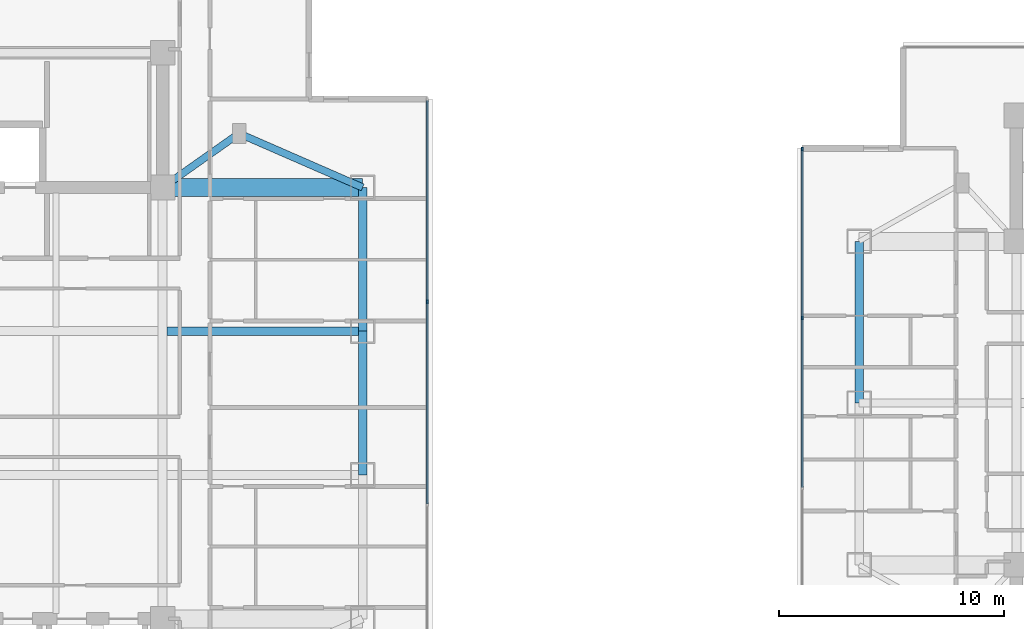
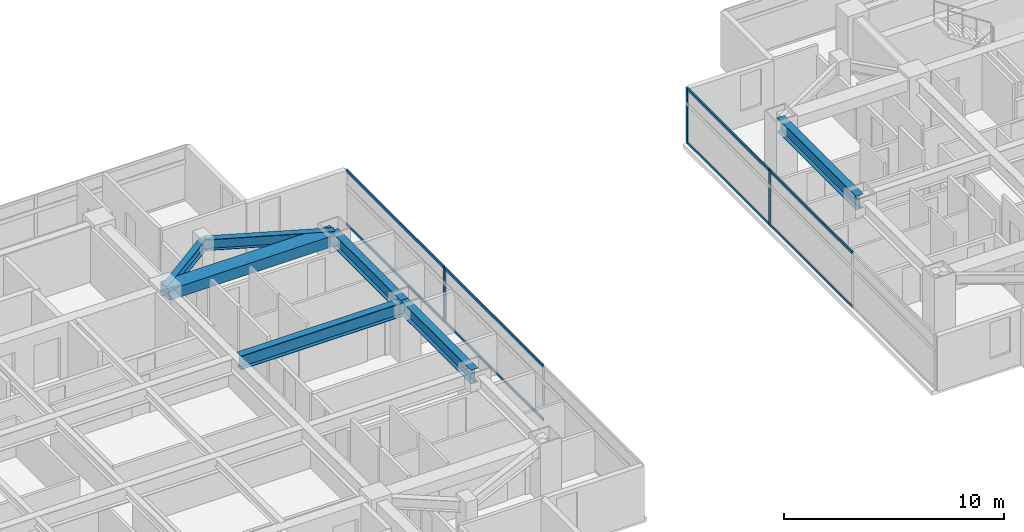
# One storey, part 5 of 24: 11 members, 7 beams, 2 elements without a shape of their own.
"""IFC4 building model written with IfcOpenShell, lengths in metres."""

from ifc_helpers import new_model, si_unit, direction, frame, origin, origin_2d, place, context, subcontext, project, spatial, rectangle, i_section, extrude, material, material_profile, profile_set, type_object, element, aggregate, save


model = new_model("IFC4")

# Units and contexts
model_context = context("Model", 3, precision=1e-05, world=origin(), true_north=direction((0.0, 1.0)))
body_context = subcontext(model_context, "Body", "Model", "MODEL_VIEW")
ifc_project = project(units=[si_unit("LENGTHUNIT", "METRE"), si_unit("AREAUNIT", "SQUARE_METRE"), si_unit("VOLUMEUNIT", "CUBIC_METRE"), si_unit("PLANEANGLEUNIT", "RADIAN"), si_unit("MASSUNIT", "GRAM", prefix="KILO")], contexts=[model_context])

# Site, building, storey
site_placement = place(None, origin())
site = spatial("IfcSite", under=ifc_project, at=site_placement, CompositionType="ELEMENT")
building_placement = place(site_placement, origin())
building = spatial("IfcBuilding", under=site, at=building_placement, Name="Mirazonda Arch Towers", CompositionType="ELEMENT")
storey_placement = place(building_placement, frame((0.0, 0.0, 134.60009765625)))
storey = spatial("IfcBuildingStorey", under=building, at=storey_placement, Name="L38", CompositionType="ELEMENT", Elevation=134.60009765625)

# Beams
ifc_material_1 = material(Name="Steel ASTM A992 Grade 50", Category="steel")
ifc_material_profile_1 = material_profile(ifc_material_1, i_section(OverallWidth=0.381103515625, OverallDepth=0.77294921875, WebThickness=0.0166015625, FlangeThickness=0.027099609375, at=origin_2d()), Name="W30X173")
ifc_profile_set_1 = profile_set([ifc_material_profile_1], Name="Steel ASTM A992 Grade 50")
beam_type_1 = type_object("IfcBeamType", Name="BM-EXT-W30X173", PredefinedType="USERDEFINED", material=ifc_profile_set_1)
beam_1_placement = place(storey_placement, frame((38.89990234375, 24.800048828125, 2.693359375), z_axis=(0.0, 1.0, 0.0), x_axis=(-1.0, 0.0, 0.0)))
element("IfcBeam", 1, at=beam_1_placement, inside=storey, type_object=beam_type_1, Name="L38 Floor Beam BM-T1-L38-NS-E-24", ObjectType="GIRDER", PredefinedType="USERDEFINED", context=body_context, shape_type="SweptSolid", body=[
    extrude(i_section(OverallWidth=0.381103515625, OverallDepth=0.77294921875, WebThickness=0.0166015625, FlangeThickness=0.027099609375, at=origin_2d()), origin(), (0.0, 0.0, 1.0), 6.39990234375),
])
beam_2_placement = place(storey_placement, frame((38.89990234375, 31.199951171875, 2.693359375), z_axis=(0.0, 1.0, 0.0), x_axis=(-1.0, 0.0, 0.0)))
element("IfcBeam", 2, at=beam_2_placement, inside=storey, type_object=beam_type_1, Name="L38 Floor Beam BM-T1-L38-NS-E-31", ObjectType="GIRDER", PredefinedType="USERDEFINED", context=body_context, shape_type="SweptSolid", body=[
    extrude(i_section(OverallWidth=0.381103515625, OverallDepth=0.77294921875, WebThickness=0.0166015625, FlangeThickness=0.027099609375, at=origin_2d()), origin(), (0.0, 0.0, 1.0), 6.400146484375),
])
beam_3_placement = place(storey_placement, frame((61.0, 28.0, 2.693359375), z_axis=(0.0, 1.0, 0.0), x_axis=(-1.0, 0.0, 0.0)))
element("IfcBeam", 3, at=beam_3_placement, inside=storey, type_object=beam_type_1, Name="L38 Floor Beam BM-T2-L38-NS-W-28", ObjectType="GIRDER", PredefinedType="USERDEFINED", context=body_context, shape_type="SweptSolid", body=[
    extrude(i_section(OverallWidth=0.381103515625, OverallDepth=0.77294921875, WebThickness=0.0166015625, FlangeThickness=0.027099609375, at=origin_2d()), origin(), (0.0, 0.0, 1.0), 7.199951171875),
])
ifc_material_profile_2 = material_profile(ifc_material_1, i_section(OverallWidth=0.324951171875, OverallDepth=0.615966796875, WebThickness=0.013916015625, FlangeThickness=0.021484375, at=origin_2d()), Name="W24X117")
ifc_profile_set_2 = profile_set([ifc_material_profile_2], Name="Steel ASTM A992 Grade 50")
beam_type_2 = type_object("IfcBeamType", Name="BM-INT-W24X117", PredefinedType="BEAM", material=ifc_profile_set_2)
beam_4_placement = place(storey_placement, frame((33.39990234375, 40.0, 2.77197265625), z_axis=(-0.816971114901, -0.576678591087, 0.0), x_axis=(0.576678591087, -0.816971114901, 0.0)))
element("IfcBeam", 4, at=beam_4_placement, inside=storey, type_object=beam_type_2, Name="L38 Floor Beam BM-T1-L38-PL-NE1", PredefinedType="BEAM", context=body_context, shape_type="SweptSolid", body=[
    extrude(i_section(OverallWidth=0.324951171875, OverallDepth=0.615966796875, WebThickness=0.013916015625, FlangeThickness=0.021484375, at=origin_2d()), origin(), (0.0, 0.0, 1.0), 4.16162109375),
])
beam_5_placement = place(storey_placement, frame((33.39990234375, 40.0, 2.77197265625), z_axis=(0.916545343703, -0.399930785183, 0.0), x_axis=(0.399930785183, 0.916545343703, 0.0)))
element("IfcBeam", 5, at=beam_5_placement, inside=storey, type_object=beam_type_2, Name="L38 Floor Beam BM-T1-L38-PL-NE2", PredefinedType="BEAM", context=body_context, shape_type="SweptSolid", body=[
    extrude(i_section(OverallWidth=0.324951171875, OverallDepth=0.615966796875, WebThickness=0.013916015625, FlangeThickness=0.021484375, at=origin_2d()), origin(), (0.0, 0.0, 1.0), 6.000732421875),
])
ifc_material_profile_3 = material_profile(ifc_material_1, i_section(OverallWidth=0.381103515625, OverallDepth=0.77294921875, WebThickness=0.0166015625, FlangeThickness=0.027099609375, at=origin_2d()), Name="W30X173")
ifc_profile_set_3 = profile_set([ifc_material_profile_3], Name="Steel ASTM A992 Grade 50")
beam_type_3 = type_object("IfcBeamType", Name="BM-INT-W30X173", PredefinedType="USERDEFINED", material=ifc_profile_set_3)
beam_6_placement = place(storey_placement, frame((30.199951171875, 31.199951171875, 2.693359375), z_axis=(1.0, 0.0, 0.0), x_axis=(0.0, 1.0, 0.0)))
element("IfcBeam", 6, at=beam_6_placement, inside=storey, type_object=beam_type_3, Name="L38 Floor Beam BM-T1-L38-GE3", ObjectType="GIRDER", PredefinedType="USERDEFINED", context=body_context, shape_type="SweptSolid", body=[
    extrude(i_section(OverallWidth=0.381103515625, OverallDepth=0.77294921875, WebThickness=0.0166015625, FlangeThickness=0.027099609375, at=origin_2d()), origin(), (0.0, 0.0, 1.0), 8.699951171875),
])
ifc_material_2 = material(Name="Concrete C60/75", Category="concrete")
ifc_material_profile_4 = material_profile(ifc_material_2, rectangle(XDim=0.800048828125, YDim=0.60009765625, at=origin_2d()), Name="RCCB800x600")
ifc_profile_set_4 = profile_set([ifc_material_profile_4], Name="Concrete C60/75")
beam_type_4 = type_object("IfcBeamType", Name="CB-INT-RCCB800x600", PredefinedType="SPANDREL", material=ifc_profile_set_4)
beam_7_placement = place(storey_placement, frame((30.0, 37.60009765625, 2.77978515625), z_axis=(1.0, 0.0, 0.0), x_axis=(0.0, 1.0, 0.0)))
element("IfcBeam", 7, at=beam_7_placement, inside=storey, type_object=beam_type_4, Name="L38 Floor Beam CBC-T1-L38-NE", PredefinedType="SPANDREL", context=body_context, shape_type="SweptSolid", body=[
    extrude(rectangle(XDim=0.800048828125, YDim=0.60009765625, at=origin_2d()), origin(), (0.0, 0.0, 1.0), 8.89990234375),
])

# Curtain wall, member
ifc_material_3 = material(Name="Anodised Aluminium and Low-E Glass", Category="aluminium")
curtain_wall_type = type_object("IfcCurtainWallType", Name="CW-HTL-UNIT", PredefinedType="NOTDEFINED", material=ifc_material_3)
curtain_wall_1_placement = place(storey_placement, origin())
curtain_wall_1 = element("IfcCurtainWall", 8, at=curtain_wall_1_placement, inside=storey, type_object=curtain_wall_type, Name="L38 T1 E Facade CW-L38-T1-E", PredefinedType="NOTDEFINED")
ifc_material_4 = material(Name="Anodised Aluminium Alloy", Category="aluminium")
ifc_material_profile_5 = material_profile(ifc_material_4, rectangle(XDim=0.074951171875, YDim=0.1650390625, at=origin_2d()), Name="ALU-MULL-75x165")
ifc_profile_set_5 = profile_set([ifc_material_profile_5], Name="Anodised Aluminium Alloy")
member_type_1 = type_object("IfcMemberType", Name="MULL-CW-HTL-UNIT", PredefinedType="MULLION", material=ifc_profile_set_5)
member_1_placement = place(storey_placement, frame((41.780029296875, 32.513427734375, 0.0), z_axis=(0.0, 0.0, 1.0), x_axis=(-1.0, 0.0, 0.0)))
member_1 = element("IfcMember", 9, at=member_1_placement, type_object=member_type_1, Name="CW-112 mullion 3", PredefinedType="MULLION", context=body_context, shape_type="SweptSolid", body=[
    extrude(rectangle(XDim=0.074951171875, YDim=0.1650390625, at=origin_2d()), origin(), (0.0, 0.0, 1.0), 3.059814453125),
])

# Curtain wall, members
curtain_wall_2_placement = place(storey_placement, origin())
curtain_wall_2 = element("IfcCurtainWall", 10, at=curtain_wall_2_placement, inside=storey, type_object=curtain_wall_type, Name="L38 T2 W Facade CW-L38-T2-W", PredefinedType="NOTDEFINED")
member_2_placement = place(storey_placement, frame((58.465087890625, 39.3115234375, 0.0), z_axis=(0.0, 0.0, 1.0), x_axis=(1.0, 0.0, 0.0)))
member_2 = element("IfcMember", 11, at=member_2_placement, type_object=member_type_1, Name="CW-112 mullion 1", PredefinedType="MULLION", context=body_context, shape_type="SweptSolid", body=[
    extrude(rectangle(XDim=0.074951171875, YDim=0.1650390625, at=origin_2d()), origin(), (0.0, 0.0, 1.0), 3.059814453125),
])
member_3_placement = place(storey_placement, frame((58.465087890625, 31.782958984375, 0.0), z_axis=(0.0, 0.0, 1.0), x_axis=(1.0, 0.0, 0.0)))
member_3 = element("IfcMember", 12, at=member_3_placement, type_object=member_type_1, Name="CW-112 mullion 2", PredefinedType="MULLION", context=body_context, shape_type="SweptSolid", body=[
    extrude(rectangle(XDim=0.074951171875, YDim=0.1650390625, at=origin_2d()), origin(), (0.0, 0.0, 1.0), 3.059814453125),
])

# Member
ifc_material_profile_6 = material_profile(ifc_material_4, rectangle(XDim=0.074951171875, YDim=0.14501953125, at=origin_2d()), Name="ALU-TRAN-75x145")
ifc_profile_set_6 = profile_set([ifc_material_profile_6], Name="Anodised Aluminium Alloy")
member_type_2 = type_object("IfcMemberType", Name="TRAN-CW-HTL-UNIT", PredefinedType="USERDEFINED", material=ifc_profile_set_6)
member_4_placement = place(storey_placement, frame((41.780029296875, 23.524169921875, 0.037353515625), z_axis=(0.0, 1.0, 0.0), x_axis=(-1.0, 0.0, 0.0)))
member_4 = element("IfcMember", 13, at=member_4_placement, type_object=member_type_2, Name="CW-112 transom 2.1", ObjectType="TRANSOM", PredefinedType="USERDEFINED", context=body_context, shape_type="SweptSolid", body=[
    extrude(rectangle(XDim=0.074951171875, YDim=0.14501953125, at=origin_2d()), origin(), (0.0, 0.0, 1.0), 8.95166015625),
])

member_5_placement = place(storey_placement, frame((41.780029296875, 23.524169921875, 3.0224609375), z_axis=(0.0, 1.0, 0.0), x_axis=(-1.0, 0.0, 0.0)))
member_5 = element("IfcMember", 14, at=member_5_placement, type_object=member_type_2, Name="CW-112 transom 2.2", ObjectType="TRANSOM", PredefinedType="USERDEFINED", context=body_context, shape_type="SweptSolid", body=[
    extrude(rectangle(XDim=0.074951171875, YDim=0.14501953125, at=origin_2d()), origin(), (0.0, 0.0, 1.0), 8.95166015625),
])

member_6_placement = place(storey_placement, frame((41.780029296875, 32.55078125, 0.037353515625), z_axis=(0.0, 1.0, 0.0), x_axis=(-1.0, 0.0, 0.0)))
member_6 = element("IfcMember", 15, at=member_6_placement, type_object=member_type_2, Name="CW-112 transom 3.1", ObjectType="TRANSOM", PredefinedType="USERDEFINED", context=body_context, shape_type="SweptSolid", body=[
    extrude(rectangle(XDim=0.074951171875, YDim=0.14501953125, at=origin_2d()), origin(), (0.0, 0.0, 1.0), 8.914306640625),
])

member_7_placement = place(storey_placement, frame((41.780029296875, 32.55078125, 3.0224609375), z_axis=(0.0, 1.0, 0.0), x_axis=(-1.0, 0.0, 0.0)))
member_7 = element("IfcMember", 16, at=member_7_placement, type_object=member_type_2, Name="CW-112 transom 3.2", ObjectType="TRANSOM", PredefinedType="USERDEFINED", context=body_context, shape_type="SweptSolid", body=[
    extrude(rectangle(XDim=0.074951171875, YDim=0.14501953125, at=origin_2d()), origin(), (0.0, 0.0, 1.0), 8.914306640625),
])

aggregate(curtain_wall_1, [member_1, member_4, member_5, member_6, member_7])

member_8_placement = place(storey_placement, frame((58.465087890625, 39.27392578125, 0.037353515625), z_axis=(0.0, -1.0, 0.0), x_axis=(1.0, 0.0, 0.0)))
member_8 = element("IfcMember", 17, at=member_8_placement, type_object=member_type_2, Name="CW-112 transom 1.1", ObjectType="TRANSOM", PredefinedType="USERDEFINED", context=body_context, shape_type="SweptSolid", body=[
    extrude(rectangle(XDim=0.074951171875, YDim=0.14501953125, at=origin_2d()), origin(), (0.0, 0.0, 1.0), 7.453369140625),
])

member_9_placement = place(storey_placement, frame((58.465087890625, 39.27392578125, 3.0224609375), z_axis=(0.0, -1.0, 0.0), x_axis=(1.0, 0.0, 0.0)))
member_9 = element("IfcMember", 18, at=member_9_placement, type_object=member_type_2, Name="CW-112 transom 1.2", ObjectType="TRANSOM", PredefinedType="USERDEFINED", context=body_context, shape_type="SweptSolid", body=[
    extrude(rectangle(XDim=0.074951171875, YDim=0.14501953125, at=origin_2d()), origin(), (0.0, 0.0, 1.0), 7.453369140625),
])

member_10_placement = place(storey_placement, frame((58.465087890625, 31.74560546875, 0.037353515625), z_axis=(0.0, -1.0, 0.0), x_axis=(1.0, 0.0, 0.0)))
member_10 = element("IfcMember", 19, at=member_10_placement, type_object=member_type_2, Name="CW-112 transom 2.1", ObjectType="TRANSOM", PredefinedType="USERDEFINED", context=body_context, shape_type="SweptSolid", body=[
    extrude(rectangle(XDim=0.074951171875, YDim=0.14501953125, at=origin_2d()), origin(), (0.0, 0.0, 1.0), 7.4912109375),
])

member_11_placement = place(storey_placement, frame((58.465087890625, 31.74560546875, 3.0224609375), z_axis=(0.0, -1.0, 0.0), x_axis=(1.0, 0.0, 0.0)))
member_11 = element("IfcMember", 20, at=member_11_placement, type_object=member_type_2, Name="CW-112 transom 2.2", ObjectType="TRANSOM", PredefinedType="USERDEFINED", context=body_context, shape_type="SweptSolid", body=[
    extrude(rectangle(XDim=0.074951171875, YDim=0.14501953125, at=origin_2d()), origin(), (0.0, 0.0, 1.0), 7.4912109375),
])

aggregate(curtain_wall_2, [member_2, member_3, member_8, member_9, member_10, member_11])

save(model, "model.ifc")
